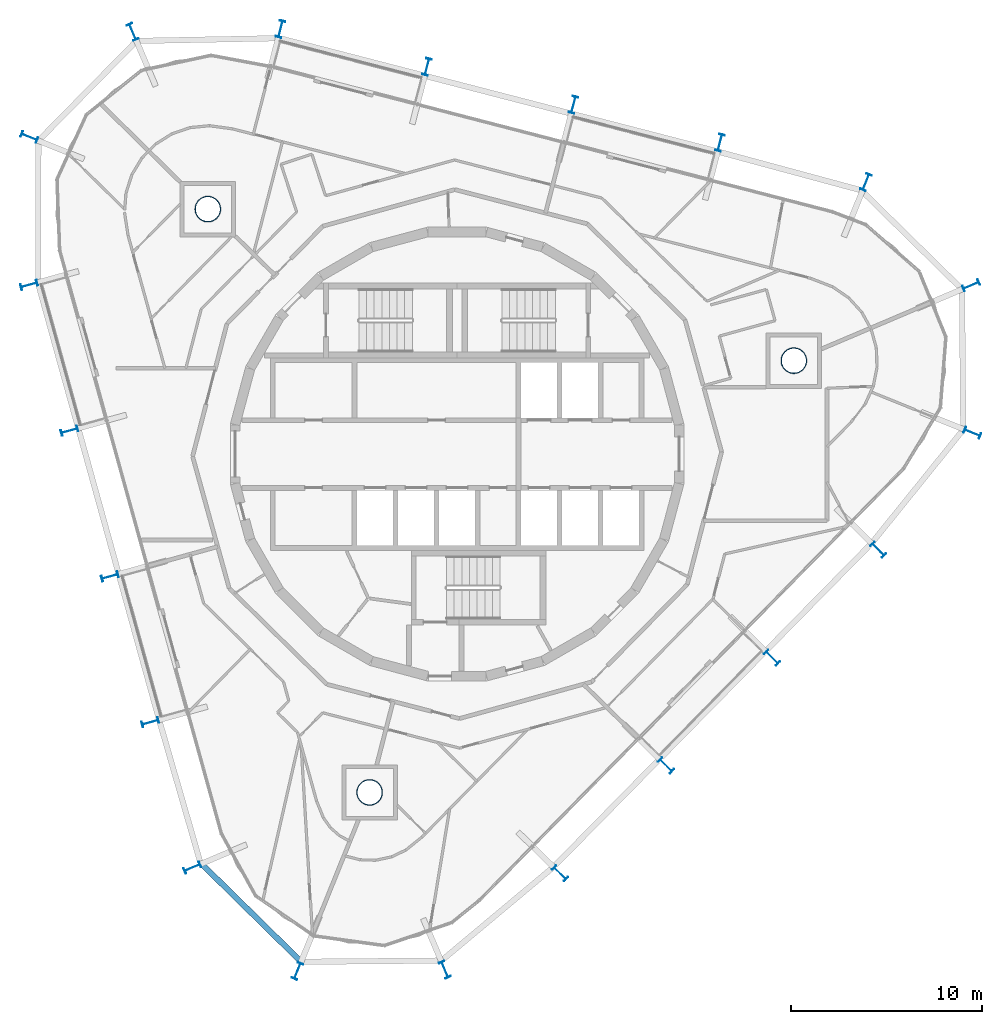
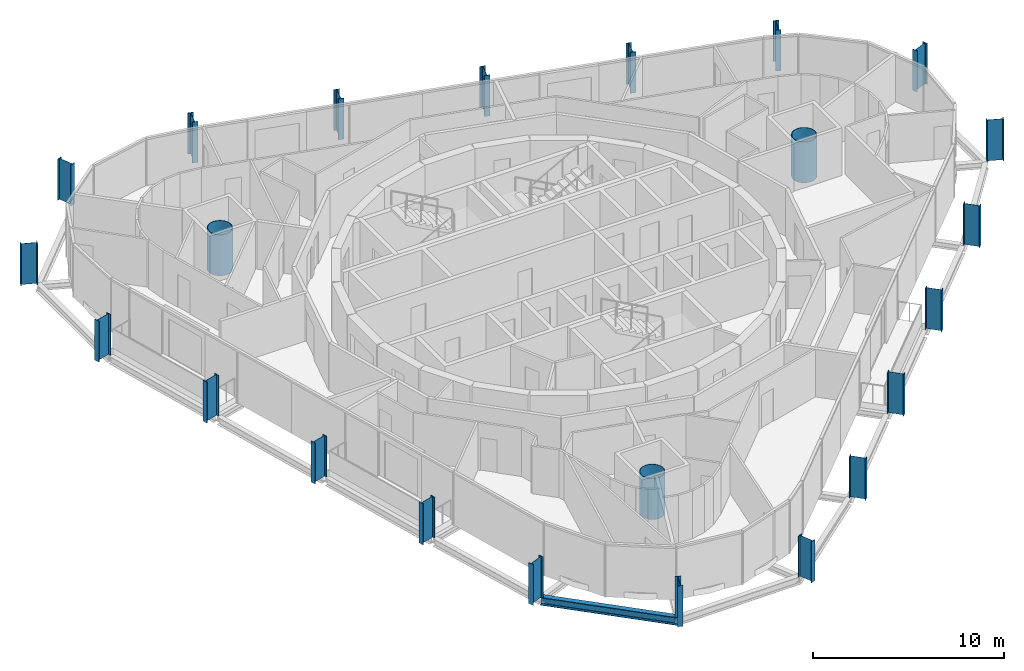
# One storey, part 1 of 15: 23 columns, 1 beam.
"""IFC4 building model written with IfcOpenShell, lengths in metres."""

from ifc_helpers import new_model, si_unit, direction, frame, origin, origin_2d, place, context, subcontext, project, spatial, hollow_circle, i_section, extrude, material, material_profile, profile_set, type_object, element, save


model = new_model("IFC4")

# Units and contexts
model_context = context("Model", 3, precision=1e-05, world=origin(), true_north=direction((0.0, 1.0)))
body_context = subcontext(model_context, "Body", "Model", "MODEL_VIEW")
ifc_project = project(units=[si_unit("LENGTHUNIT", "METRE"), si_unit("AREAUNIT", "SQUARE_METRE"), si_unit("VOLUMEUNIT", "CUBIC_METRE"), si_unit("PLANEANGLEUNIT", "RADIAN"), si_unit("MASSUNIT", "GRAM", prefix="KILO")], contexts=[model_context])

# Site, building, storey
site_placement = place(None, origin())
site = spatial("IfcSite", under=ifc_project, at=site_placement, CompositionType="ELEMENT")
building_placement = place(site_placement, origin())
building = spatial("IfcBuilding", under=site, at=building_placement, Name="Spindle Arch Residences", CompositionType="ELEMENT")
storey_placement = place(building_placement, frame((0.0, 0.0, 322.699951171875)))
storey = spatial("IfcBuildingStorey", under=building, at=storey_placement, Name="L83", CompositionType="ELEMENT", Elevation=322.699951171875)

# Columns
ifc_material_1 = material(Name="Steel S460ML, intumescent coating R 240", Category="steel")
ifc_material_profile_1 = material_profile(ifc_material_1, i_section(OverallWidth=0.300048828125, OverallDepth=0.89990234375, WebThickness=0.0185546875, FlangeThickness=0.034912109375, FilletRadius=0.030029296875, at=origin_2d()), Name="HEB 900")
ifc_profile_set_1 = profile_set([ifc_material_profile_1], Name="Steel S460ML, intumescent coating R 240")
column_type_1 = type_object("IfcColumnType", Name="Exoskeleton post HEB 900", PredefinedType="COLUMN", material=ifc_profile_set_1)
for number, where, z_axis, x_axis, name in (
    (1, (16.521484375, -10.6728515625, -0.3798828125), (0.0, 0.0, 1.0), (-0.70090935439, -0.713250360623, 0.0), "Exoskeleton post 1"),
    (2, (22.083251953125, -5.01318359375, -0.3798828125), (0.0, 0.0, 1.0), (-0.70090935439, -0.713250360623, 0.0), "Exoskeleton post 2"),
    (3, (27.0263671875, 1.11279296875, -0.3798828125), (0.0, 0.0, 1.0), (-0.374802818249, -0.927104550433, 0.0), "Exoskeleton post 3"),
    (4, (26.959716796875, 8.84521484375, -0.3798828125), (0.0, 0.0, 1.0), (0.390770126794, -0.920488298679, 0.0), "Exoskeleton post 4"),
    (5, (21.443359375, 14.263916015625, -0.3798828125), (0.0, 0.0, 1.0), (0.927294785217, -0.374331913293, 0.0), "Exoskeleton post 5"),
    (6, (13.7861328125, 16.3330078125, -0.3798828125), (0.0, 0.0, 1.0), (0.968147663906, -0.250379913079, 0.0), "Exoskeleton post 6"),
    (7, (6.10400390625, 18.31982421875, -0.3798828125), (0.0, 0.0, 1.0), (0.968147663906, -0.250379913079, 0.0), "Exoskeleton post 7"),
    (8, (-1.57861328125, 20.306640625, -0.3798828125), (0.0, 0.0, 1.0), (0.968147663906, -0.250379913079, 0.0), "Exoskeleton post 8"),
    (9, (-9.2607421875, 22.29345703125, -0.3798828125), (0.0, 0.0, 1.0), (0.968147663906, -0.250379913079, 0.0), "Exoskeleton post 9"),
    (10, (-17.0185546875, 22.144775390625, -0.3798828125), (0.0, 0.0, 1.0), (0.920554476886, 0.39061420236, 0.0), "Exoskeleton post 10"),
    (11, (-22.4384765625, 16.62939453125, -0.3798828125), (0.0, 0.0, 1.0), (0.374489123858, 0.927231306693, 0.0), "Exoskeleton post 11"),
    (12, (-22.45166015625, 8.870361328125, -0.3798828125), (0.0, 0.0, 1.0), (-0.267238143562, 0.963630517691, 0.0), "Exoskeleton post 12"),
    (13, (-20.3310546875, 1.223876953125, -0.3798828125), (0.0, 0.0, 1.0), (-0.267238143562, 0.963630517691, 0.0), "Exoskeleton post 13"),
    (14, (-18.210693359375, -6.422607421875, -0.3798828125), (0.0, 0.0, 1.0), (-0.267238143562, 0.963630517691, 0.0), "Exoskeleton post 14"),
    (15, (-16.090087890625, -14.069091796875, -0.3798828125), (0.0, 0.0, 1.0), (-0.267238143562, 0.963630517691, 0.0), "Exoskeleton post 15"),
    (16, (-13.887451171875, -21.68896484375, -0.3798828125), (0.0, 0.0, 1.0), (-0.390457907184, 0.920620781167, 0.0), "Exoskeleton post 16"),
    (17, (-8.373291015625, -27.10986328125, -0.3798828125), (0.0, 0.0, 1.0), (-0.9271679418, 0.374645976487, 0.0), "Exoskeleton post 17"),
    (18, (-0.640869140625, -27.041748046875, -0.3798828125), (0.0, 0.0, 1.0), (-0.920422094083, -0.390926039967, 0.0), "Exoskeleton post 18"),
    (19, (5.397705078125, -21.9921875, -0.3798828125), (0.0, 0.0, 1.0), (-0.70090935439, -0.713250360623, 0.0), "Exoskeleton post 19"),
    (20, (10.959716796875, -16.33251953125, -0.3798828125), (0.0, 0.0, 1.0), (-0.70090935439, -0.713250360623, 0.0), "Exoskeleton post 20"),
):
    element("IfcColumn", number, at=place(storey_placement, frame(where, z_axis=z_axis, x_axis=x_axis)), inside=storey, type_object=column_type_1, Name=name, PredefinedType="COLUMN", context=body_context, shape_type="SweptSolid", body=[
        extrude(i_section(OverallWidth=0.300048828125, OverallDepth=0.89990234375, WebThickness=0.0185546875, FlangeThickness=0.034912109375, FilletRadius=0.030029296875, at=origin_2d()), origin(), (0.0, 0.0, 1.0), 2.615966796875),
    ])
ifc_material_2 = material(Name="Concrete C50/60 filled steel tube S460ML, intumescent coating R 240", Category="concrete")
ifc_material_profile_2 = material_profile(ifc_material_2, hollow_circle(Radius=0.675048828125, WallThickness=0.030029296875, at=origin_2d()), Name="CFT D1350x30")
ifc_profile_set_2 = profile_set([ifc_material_profile_2], Name="Concrete C50/60 filled steel tube S460ML, intumescent coating R 240")
column_type_2 = type_object("IfcColumnType", Name="Mega-column CFT D1350x30", PredefinedType="COLUMN", material=ifc_profile_set_2)
for number, where, z_axis, x_axis, name in (
    (21, (17.66259765625, 4.898193359375, -0.3798828125), (0.0, 0.0, 1.0), (1.0, 0.0, 0.0), "Mega-column 1"),
    (22, (-13.0732421875, 12.84716796875, -0.3798828125), (0.0, 0.0, 1.0), (1.0, 0.0, 0.0), "Mega-column 2"),
    (23, (-4.58935546875, -17.745361328125, -0.3798828125), (0.0, 0.0, 1.0), (1.0, 0.0, 0.0), "Mega-column 3"),
):
    element("IfcColumn", number, at=place(storey_placement, frame(where, z_axis=z_axis, x_axis=x_axis)), inside=storey, type_object=column_type_2, Name=name, PredefinedType="COLUMN", context=body_context, shape_type="SweptSolid", body=[
        extrude(hollow_circle(Radius=0.675048828125, WallThickness=0.030029296875, at=origin_2d()), origin(), (0.0, 0.0, 1.0), 2.615966796875),
    ])

# Beam
ifc_material_3 = material(Name="Steel S460ML, intumescent coating R 120", Category="steel")
ifc_material_profile_3 = material_profile(ifc_material_3, i_section(OverallWidth=0.300048828125, OverallDepth=0.5, WebThickness=0.014404296875, FlangeThickness=0.028076171875, FilletRadius=0.027099609375, at=origin_2d()), Name="HEB 500")
ifc_profile_set_3 = profile_set([ifc_material_profile_3], Name="Steel S460ML, intumescent coating R 120")
beam_type = type_object("IfcBeamType", Name="Exoskeleton edge beam HEB 500", PredefinedType="BEAM", material=ifc_profile_set_3)
beam_placement = place(storey_placement, frame((-13.458251953125, -21.437744140625, -0.6298828125), z_axis=(0.713108879245, -0.701053297789, 0.0), x_axis=(0.701053297789, 0.713108879245, 0.0)))
element("IfcBeam", 24, at=beam_placement, inside=storey, type_object=beam_type, Name="Exoskeleton edge beam 16", PredefinedType="BEAM", context=body_context, shape_type="SweptSolid", body=[
    extrude(i_section(OverallWidth=0.300048828125, OverallDepth=0.5, WebThickness=0.014404296875, FlangeThickness=0.028076171875, FilletRadius=0.027099609375, at=origin_2d()), origin(), (0.0, 0.0, 1.0), 7.47265625),
])

save(model, "model.ifc")
